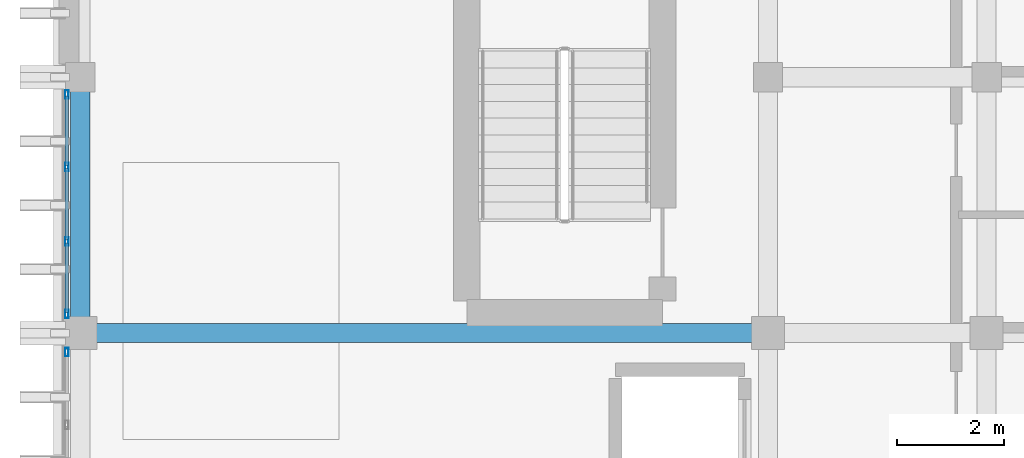
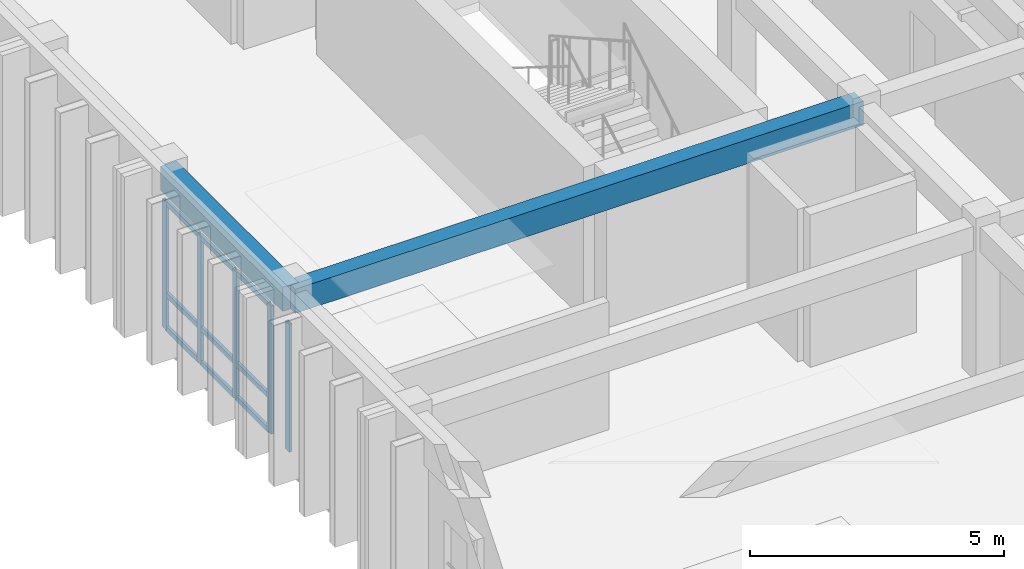
# One storey, part 10 of 50: 14 members, 2 beams, 2 elements without a shape of their own.
"""IFC4 building model written with IfcOpenShell, lengths in metres."""

from ifc_helpers import new_model, si_unit, direction, frame, origin, origin_2d, place, context, subcontext, project, spatial, rectangle, hollow_rectangle, extrude, material, layer, layer_set, material_profile, profile_set, type_object, element, aggregate, save


model = new_model("IFC4")

# Units and contexts
model_context = context("Model", 3, precision=1e-05, world=origin(), true_north=direction((0.0, 1.0)))
body_context = subcontext(model_context, "Body", "Model", "MODEL_VIEW")
ifc_project = project(units=[si_unit("LENGTHUNIT", "METRE"), si_unit("AREAUNIT", "SQUARE_METRE"), si_unit("VOLUMEUNIT", "CUBIC_METRE"), si_unit("PLANEANGLEUNIT", "RADIAN"), si_unit("MASSUNIT", "GRAM", prefix="KILO")], contexts=[model_context])

# Site, building, storey
site_placement = place(None, origin())
site = spatial("IfcSite", under=ifc_project, at=site_placement, CompositionType="ELEMENT")
building_placement = place(site_placement, origin())
building = spatial("IfcBuilding", under=site, at=building_placement, Name="Nakhvara Creek Congress Hotel", CompositionType="ELEMENT")
storey_placement = place(building_placement, frame((0.0, 0.0, 42.60009765625)))
storey = spatial("IfcBuildingStorey", under=building, at=storey_placement, Name="L10", CompositionType="ELEMENT", Elevation=42.60009765625)

# Beams
ifc_material_1 = material(Name="Concrete C40/50", Category="concrete")
ifc_material_profile_1 = material_profile(ifc_material_1, rectangle(XDim=0.360107421875, YDim=0.580078125, at=origin_2d()), Name="RC-BM 360x580", Category="LoadBearing")
ifc_profile_set_1 = profile_set([ifc_material_profile_1], Name="Concrete C40/50")
beam_type = type_object("IfcBeamType", Name="BM-RC-360X580", PredefinedType="BEAM", material=ifc_profile_set_1)
beam_1_placement = place(storey_placement, frame((149.449951171875, 76.800048828125, 3.369873046875), z_axis=(1.0, 0.0, 0.0), x_axis=(0.0, 1.0, 0.0)))
element("IfcBeam", 1, at=beam_1_placement, inside=storey, type_object=beam_type, Name="Beam B09-L10-2633", PredefinedType="BEAM", context=body_context, shape_type="SweptSolid", body=[
    extrude(rectangle(XDim=0.360107421875, YDim=0.580078125, at=origin_2d()), origin(), (0.0, 0.0, 1.0), 12.900146484375),
])
beam_2_placement = place(storey_placement, frame((149.449951171875, 76.800048828125, 3.369873046875), z_axis=(0.0, 1.0, 0.0), x_axis=(-1.0, 0.0, 0.0)))
element("IfcBeam", 2, at=beam_2_placement, inside=storey, type_object=beam_type, Name="Beam B09-L10-2635", PredefinedType="BEAM", context=body_context, shape_type="SweptSolid", body=[
    extrude(rectangle(XDim=0.360107421875, YDim=0.580078125, at=origin_2d()), origin(), (0.0, 0.0, 1.0), 4.800048828125),
])

# Curtain wall, member
ifc_material_2 = material(Name="Bronze-anodised aluminium AW-6063-T6 and double-silver low-E glass", Category="aluminium")
ifc_layer = layer(ifc_material_2, 0.199951171875)
ifc_layer_set = layer_set([ifc_layer], Name="Bronze-anodised aluminium AW-6063-T6 and double-silver low-E glass")
curtain_wall_type = type_object("IfcCurtainWallType", Name="CW-HTL-UNIT", PredefinedType="USERDEFINED", material=ifc_layer_set)
curtain_wall_1_placement = place(storey_placement, origin())
curtain_wall_1 = element("IfcCurtainWall", 3, at=curtain_wall_1_placement, inside=storey, type_object=curtain_wall_type, Name="Curtain Wall CW317", ObjectType="UNITISED", PredefinedType="USERDEFINED")
ifc_material_3 = material(Name="Bronze-anodised aluminium AW-6063-T6", Category="aluminium")
ifc_material_profile_2 = material_profile(ifc_material_3, hollow_rectangle(XDim=0.06494140625, YDim=0.159912109375, WallThickness=0.00390625, at=origin_2d()), Name="ALU-MULL 65x160x4", Category="LoadBearing")
ifc_profile_set_2 = profile_set([ifc_material_profile_2], Name="Bronze-anodised aluminium AW-6063-T6")
member_type_1 = type_object("IfcMemberType", Name="CW-MULL-160", PredefinedType="MULLION", material=ifc_profile_set_2)
member_1_placement = place(storey_placement, frame((149.199951171875, 76.4423828125, 0.0), z_axis=(0.0, 0.0, 1.0), x_axis=(-1.0, 0.0, 0.0)))
member_1 = element("IfcMember", 4, at=member_1_placement, type_object=member_type_1, Name="CW317 mullion 4", PredefinedType="MULLION", context=body_context, shape_type="SweptSolid", body=[
    extrude(hollow_rectangle(XDim=0.06494140625, YDim=0.159912109375, WallThickness=0.00390625, at=origin_2d()), origin(), (0.0, 0.0, 1.0), 3.072021484375),
])
aggregate(curtain_wall_1, [member_1])

# Curtain wall, members
curtain_wall_2_placement = place(storey_placement, origin())
curtain_wall_2 = element("IfcCurtainWall", 5, at=curtain_wall_2_placement, inside=storey, type_object=curtain_wall_type, Name="Curtain Wall CW319", ObjectType="UNITISED", PredefinedType="USERDEFINED")
member_2_placement = place(storey_placement, frame((149.199951171875, 77.157470703125, 0.0), z_axis=(0.0, 0.0, 1.0), x_axis=(-1.0, 0.0, 0.0)))
member_2 = element("IfcMember", 6, at=member_2_placement, type_object=member_type_1, Name="CW319 mullion 1", PredefinedType="MULLION", context=body_context, shape_type="SweptSolid", body=[
    extrude(hollow_rectangle(XDim=0.06494140625, YDim=0.159912109375, WallThickness=0.00390625, at=origin_2d()), origin(), (0.0, 0.0, 1.0), 3.072021484375),
])
member_3_placement = place(storey_placement, frame((149.199951171875, 78.52001953125, 0.0), z_axis=(0.0, 0.0, 1.0), x_axis=(-1.0, 0.0, 0.0)))
member_3 = element("IfcMember", 7, at=member_3_placement, type_object=member_type_1, Name="CW319 mullion 2", PredefinedType="MULLION", context=body_context, shape_type="SweptSolid", body=[
    extrude(hollow_rectangle(XDim=0.06494140625, YDim=0.159912109375, WallThickness=0.00390625, at=origin_2d()), origin(), (0.0, 0.0, 1.0), 3.072021484375),
])
member_4_placement = place(storey_placement, frame((149.199951171875, 79.9150390625, 0.0), z_axis=(0.0, 0.0, 1.0), x_axis=(-1.0, 0.0, 0.0)))
member_4 = element("IfcMember", 8, at=member_4_placement, type_object=member_type_1, Name="CW319 mullion 3", PredefinedType="MULLION", context=body_context, shape_type="SweptSolid", body=[
    extrude(hollow_rectangle(XDim=0.06494140625, YDim=0.159912109375, WallThickness=0.00390625, at=origin_2d()), origin(), (0.0, 0.0, 1.0), 3.072021484375),
])
member_5_placement = place(storey_placement, frame((149.199951171875, 81.277587890625, 0.0), z_axis=(0.0, 0.0, 1.0), x_axis=(-1.0, 0.0, 0.0)))
member_5 = element("IfcMember", 9, at=member_5_placement, type_object=member_type_1, Name="CW319 mullion 4", PredefinedType="MULLION", context=body_context, shape_type="SweptSolid", body=[
    extrude(hollow_rectangle(XDim=0.06494140625, YDim=0.159912109375, WallThickness=0.00390625, at=origin_2d()), origin(), (0.0, 0.0, 1.0), 3.072021484375),
])
ifc_material_profile_3 = material_profile(ifc_material_3, hollow_rectangle(XDim=0.06494140625, YDim=0.1201171875, WallThickness=0.00390625, at=origin_2d()), Name="ALU-TRAN 65x120x4", Category="LoadBearing")
ifc_profile_set_3 = profile_set([ifc_material_profile_3], Name="Bronze-anodised aluminium AW-6063-T6")
member_type_2 = type_object("IfcMemberType", Name="CW-TRAN-120", PredefinedType="USERDEFINED", material=ifc_profile_set_3)
member_6_placement = place(storey_placement, frame((149.199951171875, 77.18994140625, 0.032470703125), z_axis=(0.0, 1.0, 0.0), x_axis=(-1.0, 0.0, 0.0)))
member_6 = element("IfcMember", 10, at=member_6_placement, type_object=member_type_2, Name="CW319 transom 1.1", ObjectType="TRANSOM", PredefinedType="USERDEFINED", context=body_context, shape_type="SweptSolid", body=[
    extrude(hollow_rectangle(XDim=0.06494140625, YDim=0.1201171875, WallThickness=0.00390625, at=origin_2d()), origin(), (0.0, 0.0, 1.0), 1.297607421875),
])
member_7_placement = place(storey_placement, frame((149.199951171875, 77.18994140625, 0.849853515625), z_axis=(0.0, 1.0, 0.0), x_axis=(-1.0, 0.0, 0.0)))
member_7 = element("IfcMember", 11, at=member_7_placement, type_object=member_type_2, Name="CW319 transom 1.2", ObjectType="TRANSOM", PredefinedType="USERDEFINED", context=body_context, shape_type="SweptSolid", body=[
    extrude(hollow_rectangle(XDim=0.06494140625, YDim=0.1201171875, WallThickness=0.00390625, at=origin_2d()), origin(), (0.0, 0.0, 1.0), 1.297607421875),
])
member_8_placement = place(storey_placement, frame((149.199951171875, 77.18994140625, 3.039306640625), z_axis=(0.0, 1.0, 0.0), x_axis=(-1.0, 0.0, 0.0)))
member_8 = element("IfcMember", 12, at=member_8_placement, type_object=member_type_2, Name="CW319 transom 1.3", ObjectType="TRANSOM", PredefinedType="USERDEFINED", context=body_context, shape_type="SweptSolid", body=[
    extrude(hollow_rectangle(XDim=0.06494140625, YDim=0.1201171875, WallThickness=0.00390625, at=origin_2d()), origin(), (0.0, 0.0, 1.0), 1.297607421875),
])
member_9_placement = place(storey_placement, frame((149.199951171875, 78.552490234375, 0.032470703125), z_axis=(0.0, 1.0, 0.0), x_axis=(-1.0, 0.0, 0.0)))
member_9 = element("IfcMember", 13, at=member_9_placement, type_object=member_type_2, Name="CW319 transom 2.1", ObjectType="TRANSOM", PredefinedType="USERDEFINED", context=body_context, shape_type="SweptSolid", body=[
    extrude(hollow_rectangle(XDim=0.06494140625, YDim=0.1201171875, WallThickness=0.00390625, at=origin_2d()), origin(), (0.0, 0.0, 1.0), 1.330078125),
])
member_10_placement = place(storey_placement, frame((149.199951171875, 78.552490234375, 0.849853515625), z_axis=(0.0, 1.0, 0.0), x_axis=(-1.0, 0.0, 0.0)))
member_10 = element("IfcMember", 14, at=member_10_placement, type_object=member_type_2, Name="CW319 transom 2.2", ObjectType="TRANSOM", PredefinedType="USERDEFINED", context=body_context, shape_type="SweptSolid", body=[
    extrude(hollow_rectangle(XDim=0.06494140625, YDim=0.1201171875, WallThickness=0.00390625, at=origin_2d()), origin(), (0.0, 0.0, 1.0), 1.330078125),
])
member_11_placement = place(storey_placement, frame((149.199951171875, 78.552490234375, 3.039306640625), z_axis=(0.0, 1.0, 0.0), x_axis=(-1.0, 0.0, 0.0)))
member_11 = element("IfcMember", 15, at=member_11_placement, type_object=member_type_2, Name="CW319 transom 2.3", ObjectType="TRANSOM", PredefinedType="USERDEFINED", context=body_context, shape_type="SweptSolid", body=[
    extrude(hollow_rectangle(XDim=0.06494140625, YDim=0.1201171875, WallThickness=0.00390625, at=origin_2d()), origin(), (0.0, 0.0, 1.0), 1.330078125),
])
member_12_placement = place(storey_placement, frame((149.199951171875, 79.947509765625, 0.032470703125), z_axis=(0.0, 1.0, 0.0), x_axis=(-1.0, 0.0, 0.0)))
member_12 = element("IfcMember", 16, at=member_12_placement, type_object=member_type_2, Name="CW319 transom 3.1", ObjectType="TRANSOM", PredefinedType="USERDEFINED", context=body_context, shape_type="SweptSolid", body=[
    extrude(hollow_rectangle(XDim=0.06494140625, YDim=0.1201171875, WallThickness=0.00390625, at=origin_2d()), origin(), (0.0, 0.0, 1.0), 1.297607421875),
])
member_13_placement = place(storey_placement, frame((149.199951171875, 79.947509765625, 0.849853515625), z_axis=(0.0, 1.0, 0.0), x_axis=(-1.0, 0.0, 0.0)))
member_13 = element("IfcMember", 17, at=member_13_placement, type_object=member_type_2, Name="CW319 transom 3.2", ObjectType="TRANSOM", PredefinedType="USERDEFINED", context=body_context, shape_type="SweptSolid", body=[
    extrude(hollow_rectangle(XDim=0.06494140625, YDim=0.1201171875, WallThickness=0.00390625, at=origin_2d()), origin(), (0.0, 0.0, 1.0), 1.297607421875),
])
member_14_placement = place(storey_placement, frame((149.199951171875, 79.947509765625, 3.039306640625), z_axis=(0.0, 1.0, 0.0), x_axis=(-1.0, 0.0, 0.0)))
member_14 = element("IfcMember", 18, at=member_14_placement, type_object=member_type_2, Name="CW319 transom 3.3", ObjectType="TRANSOM", PredefinedType="USERDEFINED", context=body_context, shape_type="SweptSolid", body=[
    extrude(hollow_rectangle(XDim=0.06494140625, YDim=0.1201171875, WallThickness=0.00390625, at=origin_2d()), origin(), (0.0, 0.0, 1.0), 1.297607421875),
])
aggregate(curtain_wall_2, [member_2, member_3, member_4, member_5, member_6, member_7, member_8, member_9, member_10, member_11, member_12, member_13, member_14])

save(model, "model.ifc")
